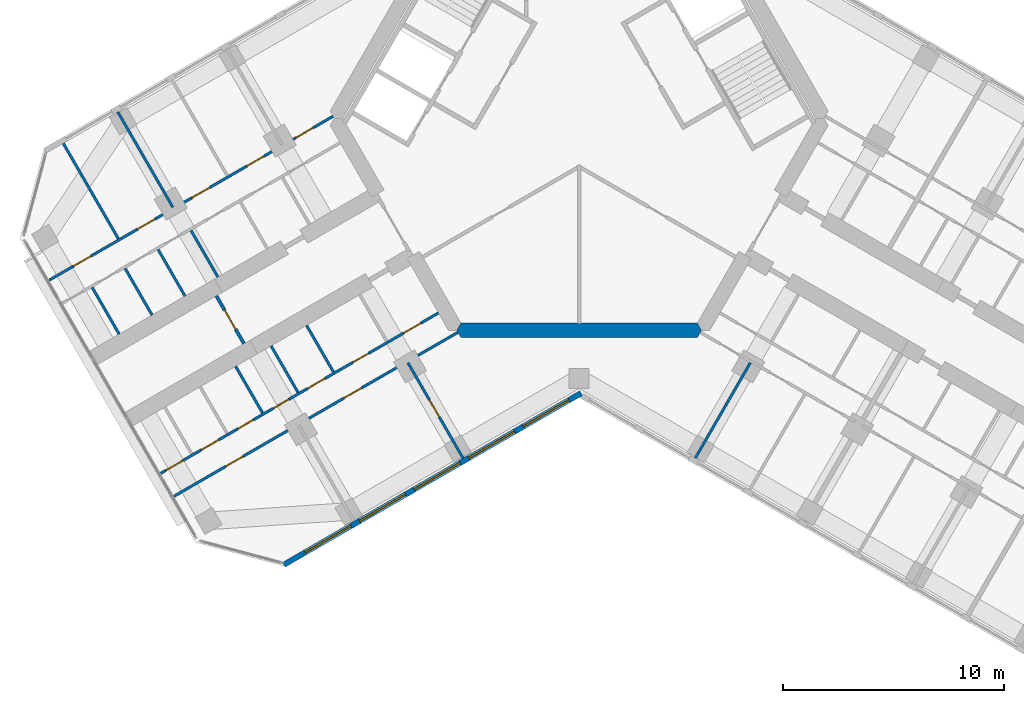
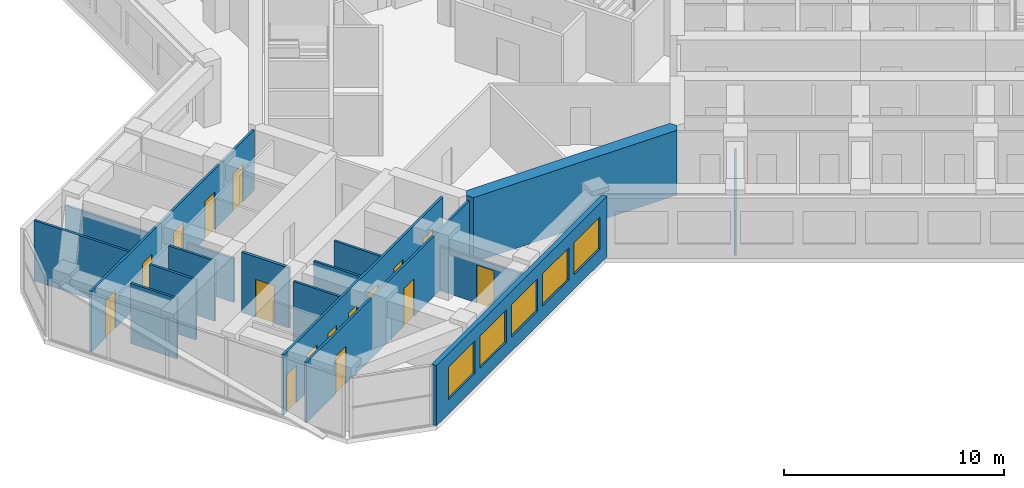
# One storey, part 8 of 16: 17 walls, 16 doors, 5 windows, 21 openings.
"""IFC4 building model written with IfcOpenShell, lengths in metres."""

from ifc_helpers import new_model, si_unit, direction, frame, frame_2d, origin, place, context, subcontext, project, spatial, polyline, rectangle, outline, extrude, material, layer, layer_set, type_object, element, fill, save


model = new_model("IFC4")

# Units and contexts
model_context = context("Model", 3, precision=1e-05, world=origin(), true_north=direction((0.0, 1.0)))
body_context = subcontext(model_context, "Body", "Model", "MODEL_VIEW")
ifc_project = project(units=[si_unit("LENGTHUNIT", "METRE"), si_unit("AREAUNIT", "SQUARE_METRE"), si_unit("VOLUMEUNIT", "CUBIC_METRE"), si_unit("PLANEANGLEUNIT", "RADIAN"), si_unit("MASSUNIT", "GRAM", prefix="KILO")], contexts=[model_context])

# Site, building, storey
site_placement = place(None, origin())
site = spatial("IfcSite", under=ifc_project, at=site_placement, CompositionType="ELEMENT")
building_placement = place(site_placement, origin())
building = spatial("IfcBuilding", under=site, at=building_placement, Name="Kosmar Iwan School Tower", CompositionType="ELEMENT")
storey_placement = place(building_placement, frame((0.0, 0.0, 204.60009765625)))
storey = spatial("IfcBuildingStorey", under=building, at=storey_placement, Name="L51", CompositionType="ELEMENT", Elevation=204.60009765625)

# Wall
ifc_material_1 = material(Name="Concrete C50/60", Category="concrete")
ifc_layer_1 = layer(ifc_material_1, 0.64990234375)
ifc_layer_set_1 = layer_set([ifc_layer_1], Name="Core wall 650")
wall_type_1 = type_object("IfcWallType", Name="Core wall 650", PredefinedType="SHEAR", material=ifc_layer_set_1)
wall_1_placement = place(storey_placement, origin())
element("IfcWall", 1, at=wall_1_placement, inside=storey, type_object=wall_type_1, Name="Core wall F270", PredefinedType="SHEAR", context=body_context, shape_type="SweptSolid", body=[
    extrude(outline(polyline([(-5.35498046875, -9.925048828125), (5.35498046875, -9.925048828125), (5.54248046875, -9.60009765625), (5.35498046875, -9.27490234375), (-5.35498046875, -9.27490234375), (-5.54248046875, -9.60009765625), (-5.35498046875, -9.925048828125)])), origin(), (0.0, 0.0, 1.0), 3.599853515625),
])

# Wall, opening, door
ifc_material_2 = material(Name="Gypsum board on steel studs, fire-rated", Category="steel")
ifc_layer_2 = layer(ifc_material_2, 0.14990234375)
ifc_layer_set_2 = layer_set([ifc_layer_2], Name="Corridor end wall 150")
wall_type_2 = type_object("IfcWallType", Name="Corridor end wall 150", PredefinedType="PARTITIONING", material=ifc_layer_set_2)
wall_2_placement = place(storey_placement, frame((-16.429931640625, -8.04248046875, 0.0), z_axis=(0.0, 0.0, 1.0), x_axis=(0.500004234368, -0.866022959057, 0.0)))
wall_2 = element("IfcWall", 2, at=wall_2_placement, inside=storey, type_object=wall_type_2, Name="Partition L51-B-CE", PredefinedType="PARTITIONING", context=body_context, shape_type="SweptSolid", body=[
    extrude(rectangle(XDim=2.5, YDim=0.14990234375, at=frame_2d((1.25, 0.0))), origin(), (0.0, 0.0, 1.0), 3.349853515625),
])
opening_1_placement = place(wall_2_placement, frame((0.75, 0.0, 0.0)))
opening_1 = element("IfcOpeningElement", 3, at=opening_1_placement, cuts=wall_2, Name="Opening D13", PredefinedType="OPENING", context=body_context, shape_type="SweptSolid", body=[
    extrude(rectangle(XDim=1.0, YDim=2.10009765625, at=frame_2d((0.5, 1.050048828125))), frame((0.0, 0.0869140625, 0.0), z_axis=(0.0, -1.0, 0.0), x_axis=(1.0, 0.0, 0.0)), (0.0, 0.0, 1.0), 0.173828125),
])
ifc_material_3 = material(Name="Timber fire door with vision panel", Category="wood")
door_type_1 = type_object("IfcDoorType", Name="Corridor end door 1000x2100", OperationType="SINGLE_SWING_LEFT", PredefinedType="DOOR", material=ifc_material_3)
door_1_placement = place(opening_1_placement, origin())
door_1 = element("IfcDoor", 4, at=door_1_placement, inside=storey, type_object=door_type_1, Name="Hobby workshop door L51-B", OperationType="SINGLE_SWING_LEFT", OverallHeight=2.10009765625, OverallWidth=1.0, PredefinedType="DOOR", context=body_context, shape_type="SweptSolid", body=[
    extrude(rectangle(XDim=1.0, YDim=2.10009765625, at=frame_2d((0.5, 1.050048828125))), frame((0.0, 0.02490234375, 0.0), z_axis=(0.0, -1.0, 0.0), x_axis=(1.0, 0.0, 0.0)), (0.0, 0.0, 1.0), 0.050048828125),
])
fill(opening_1, door_1)

# Wall, openings, doors
ifc_material_4 = material(Name="Gypsum board on steel studs", Category="steel")
ifc_layer_3 = layer(ifc_material_4, 0.1201171875)
ifc_layer_set_3 = layer_set([ifc_layer_3], Name="Dwelling partition 120")
wall_type_3 = type_object("IfcWallType", Name="Dwelling partition 120", PredefinedType="PARTITIONING", material=ifc_layer_set_3)
wall_3_placement = place(storey_placement, frame((-6.370361328125, -8.81640625, 0.0), z_axis=(0.0, 0.0, 1.0), x_axis=(-0.866025425371, -0.499999962611, 0.0)))
wall_3 = element("IfcWall", 5, at=wall_3_placement, inside=storey, type_object=wall_type_3, Name="Partition L51-BL1-W1", PredefinedType="PARTITIONING", context=body_context, shape_type="SweptSolid", body=[
    extrude(rectangle(XDim=14.52001953125, YDim=0.1201171875, at=frame_2d((7.260009765625, 0.0))), origin(), (0.0, 0.0, 1.0), 3.349853515625),
])
opening_2_placement = place(wall_3_placement, frame((0.925048828125, 0.0, 0.0)))
opening_2 = element("IfcOpeningElement", 6, at=opening_2_placement, cuts=wall_3, Name="Opening D2", PredefinedType="OPENING", context=body_context, shape_type="SweptSolid", body=[
    extrude(rectangle(XDim=0.89990234375, YDim=2.10009765625, at=frame_2d((0.449951171875, 1.050048828125))), frame((0.0, 0.072021484375, 0.0), z_axis=(0.0, -1.0, 0.0), x_axis=(1.0, 0.0, 0.0)), (0.0, 0.0, 1.0), 0.14404296875),
])
opening_3_placement = place(wall_3_placement, frame((3.665283203125, 0.0, 0.0)))
opening_3 = element("IfcOpeningElement", 7, at=opening_3_placement, cuts=wall_3, Name="Opening D3", PredefinedType="OPENING", context=body_context, shape_type="SweptSolid", body=[
    extrude(rectangle(XDim=0.800048828125, YDim=2.10009765625, at=frame_2d((0.39990234375, 1.050048828125))), frame((0.0, 0.072021484375, 0.0), z_axis=(0.0, -1.0, 0.0), x_axis=(1.0, 0.0, 0.0)), (0.0, 0.0, 1.0), 0.14404296875),
])
opening_4_placement = place(wall_3_placement, frame((5.9326171875, 0.0, 0.0)))
opening_4 = element("IfcOpeningElement", 8, at=opening_4_placement, cuts=wall_3, Name="Opening D2", PredefinedType="OPENING", context=body_context, shape_type="SweptSolid", body=[
    extrude(rectangle(XDim=0.89990234375, YDim=2.10009765625, at=frame_2d((0.449951171875, 1.050048828125))), frame((0.0, 0.072021484375, 0.0), z_axis=(0.0, -1.0, 0.0), x_axis=(1.0, 0.0, 0.0)), (0.0, 0.0, 1.0), 0.14404296875),
])
opening_5_placement = place(wall_3_placement, frame((7.836669921875, 0.0, 0.0)))
opening_5 = element("IfcOpeningElement", 9, at=opening_5_placement, cuts=wall_3, Name="Opening D3", PredefinedType="OPENING", context=body_context, shape_type="SweptSolid", body=[
    extrude(rectangle(XDim=0.800048828125, YDim=2.10009765625, at=frame_2d((0.39990234375, 1.050048828125))), frame((0.0, 0.072021484375, 0.0), z_axis=(0.0, -1.0, 0.0), x_axis=(1.0, 0.0, 0.0)), (0.0, 0.0, 1.0), 0.14404296875),
])
opening_6_placement = place(wall_3_placement, frame((9.6904296875, 0.0, 0.0)))
opening_6 = element("IfcOpeningElement", 10, at=opening_6_placement, cuts=wall_3, Name="Opening D3", PredefinedType="OPENING", context=body_context, shape_type="SweptSolid", body=[
    extrude(rectangle(XDim=0.800048828125, YDim=2.10009765625, at=frame_2d((0.39990234375, 1.050048828125))), frame((0.0, 0.072021484375, 0.0), z_axis=(0.0, -1.0, 0.0), x_axis=(1.0, 0.0, 0.0)), (0.0, 0.0, 1.0), 0.14404296875),
])
opening_7_placement = place(wall_3_placement, frame((11.494140625, 0.0, 0.0)))
opening_7 = element("IfcOpeningElement", 11, at=opening_7_placement, cuts=wall_3, Name="Opening D2", PredefinedType="OPENING", context=body_context, shape_type="SweptSolid", body=[
    extrude(rectangle(XDim=0.89990234375, YDim=2.10009765625, at=frame_2d((0.449951171875, 1.050048828125))), frame((0.0, 0.072021484375, 0.0), z_axis=(0.0, -1.0, 0.0), x_axis=(1.0, 0.0, 0.0)), (0.0, 0.0, 1.0), 0.14404296875),
])
opening_8_placement = place(wall_3_placement, frame((13.34814453125, 0.0, 0.0)))
opening_8 = element("IfcOpeningElement", 12, at=opening_8_placement, cuts=wall_3, Name="Opening D2", PredefinedType="OPENING", context=body_context, shape_type="SweptSolid", body=[
    extrude(rectangle(XDim=0.89990234375, YDim=2.10009765625, at=frame_2d((0.449951171875, 1.050048828125))), frame((0.0, 0.072021484375, 0.0), z_axis=(0.0, -1.0, 0.0), x_axis=(1.0, 0.0, 0.0)), (0.0, 0.0, 1.0), 0.14404296875),
])
ifc_material_5 = material(Name="Timber door in timber frame", Category="wood")
door_type_2 = type_object("IfcDoorType", Name="Internal door 900x2100", OperationType="SINGLE_SWING_LEFT", PredefinedType="DOOR", material=ifc_material_5)
door_2_placement = place(opening_2_placement, origin())
door_2 = element("IfcDoor", 13, at=door_2_placement, inside=storey, type_object=door_type_2, Name="Entrance hall door L51-BL1-S1", OperationType="SINGLE_SWING_LEFT", OverallHeight=2.10009765625, OverallWidth=0.89990234375, PredefinedType="DOOR", context=body_context, shape_type="SweptSolid", body=[
    extrude(rectangle(XDim=0.89990234375, YDim=2.10009765625, at=frame_2d((0.449951171875, 1.050048828125))), frame((0.0, 0.02490234375, 0.0), z_axis=(0.0, -1.0, 0.0), x_axis=(1.0, 0.0, 0.0)), (0.0, 0.0, 1.0), 0.050048828125),
])
fill(opening_2, door_2)
door_3_placement = place(opening_4_placement, origin())
door_3 = element("IfcDoor", 14, at=door_3_placement, inside=storey, type_object=door_type_2, Name="Pantry door L51-BL1-S3", OperationType="SINGLE_SWING_LEFT", OverallHeight=2.10009765625, OverallWidth=0.89990234375, PredefinedType="DOOR", context=body_context, shape_type="SweptSolid", body=[
    extrude(rectangle(XDim=0.89990234375, YDim=2.10009765625, at=frame_2d((0.449951171875, 1.050048828125))), frame((0.0, 0.02490234375, 0.0), z_axis=(0.0, -1.0, 0.0), x_axis=(1.0, 0.0, 0.0)), (0.0, 0.0, 1.0), 0.050048828125),
])
fill(opening_4, door_3)
door_4_placement = place(opening_7_placement, origin())
door_4 = element("IfcDoor", 15, at=door_4_placement, inside=storey, type_object=door_type_2, Name="Utility room door L51-BL1-S6", OperationType="SINGLE_SWING_RIGHT", OverallHeight=2.10009765625, OverallWidth=0.89990234375, PredefinedType="DOOR", context=body_context, shape_type="SweptSolid", body=[
    extrude(rectangle(XDim=0.89990234375, YDim=2.10009765625, at=frame_2d((0.449951171875, 1.050048828125))), frame((0.0, 0.02490234375, 0.0), z_axis=(0.0, -1.0, 0.0), x_axis=(1.0, 0.0, 0.0)), (0.0, 0.0, 1.0), 0.050048828125),
])
fill(opening_7, door_4)
door_5_placement = place(opening_8_placement, origin())
door_5 = element("IfcDoor", 16, at=door_5_placement, inside=storey, type_object=door_type_2, Name="Dressing room door L51-BL1-S7", OperationType="SINGLE_SWING_RIGHT", OverallHeight=2.10009765625, OverallWidth=0.89990234375, PredefinedType="DOOR", context=body_context, shape_type="SweptSolid", body=[
    extrude(rectangle(XDim=0.89990234375, YDim=2.10009765625, at=frame_2d((0.449951171875, 1.050048828125))), frame((0.0, 0.02490234375, 0.0), z_axis=(0.0, -1.0, 0.0), x_axis=(1.0, 0.0, 0.0)), (0.0, 0.0, 1.0), 0.050048828125),
])
fill(opening_8, door_5)
ifc_material_6 = material(Name="Timber door in timber frame", Category="wood")
door_type_3 = type_object("IfcDoorType", Name="Sanitary room door 800x2100", OperationType="SINGLE_SWING_LEFT", PredefinedType="DOOR", material=ifc_material_6)
door_6_placement = place(opening_3_placement, origin())
door_6 = element("IfcDoor", 17, at=door_6_placement, inside=storey, type_object=door_type_3, Name="Bathroom door L51-BL1-S2", OperationType="SINGLE_SWING_LEFT", OverallHeight=2.10009765625, OverallWidth=0.800048828125, PredefinedType="DOOR", context=body_context, shape_type="SweptSolid", body=[
    extrude(rectangle(XDim=0.800048828125, YDim=2.10009765625, at=frame_2d((0.39990234375, 1.050048828125))), frame((0.0, 0.02490234375, 0.0), z_axis=(0.0, -1.0, 0.0), x_axis=(1.0, 0.0, 0.0)), (0.0, 0.0, 1.0), 0.050048828125),
])
fill(opening_3, door_6)
door_7_placement = place(opening_5_placement, origin())
door_7 = element("IfcDoor", 18, at=door_7_placement, inside=storey, type_object=door_type_3, Name="WC door L51-BL1-S4", OperationType="SINGLE_SWING_RIGHT", OverallHeight=2.10009765625, OverallWidth=0.800048828125, PredefinedType="DOOR", context=body_context, shape_type="SweptSolid", body=[
    extrude(rectangle(XDim=0.800048828125, YDim=2.10009765625, at=frame_2d((0.39990234375, 1.050048828125))), frame((0.0, 0.02490234375, 0.0), z_axis=(0.0, -1.0, 0.0), x_axis=(1.0, 0.0, 0.0)), (0.0, 0.0, 1.0), 0.050048828125),
])
fill(opening_5, door_7)
door_8_placement = place(opening_6_placement, origin())
door_8 = element("IfcDoor", 19, at=door_8_placement, inside=storey, type_object=door_type_3, Name="Store door L51-BL1-S5", OperationType="SINGLE_SWING_RIGHT", OverallHeight=2.10009765625, OverallWidth=0.800048828125, PredefinedType="DOOR", context=body_context, shape_type="SweptSolid", body=[
    extrude(rectangle(XDim=0.800048828125, YDim=2.10009765625, at=frame_2d((0.39990234375, 1.050048828125))), frame((0.0, 0.02490234375, 0.0), z_axis=(0.0, -1.0, 0.0), x_axis=(1.0, 0.0, 0.0)), (0.0, 0.0, 1.0), 0.050048828125),
])
fill(opening_6, door_8)

wall_4_placement = place(storey_placement, frame((-5.48876953125, -9.693115234375, 0.0), z_axis=(0.0, 0.0, 1.0), x_axis=(-0.866030301974, -0.499991515992, 0.0)))
wall_4 = element("IfcWall", 20, at=wall_4_placement, inside=storey, type_object=wall_type_3, Name="Partition L51-BL1-W2", PredefinedType="PARTITIONING", context=body_context, shape_type="SweptSolid", body=[
    extrude(rectangle(XDim=14.844970703125, YDim=0.1201171875, at=frame_2d((7.42236328125, 0.0))), origin(), (0.0, 0.0, 1.0), 3.349853515625),
])
opening_9_placement = place(wall_4_placement, frame((5.050048828125, 0.0, 0.0)))
opening_9 = element("IfcOpeningElement", 21, at=opening_9_placement, cuts=wall_4, Name="Opening D2", PredefinedType="OPENING", context=body_context, shape_type="SweptSolid", body=[
    extrude(rectangle(XDim=0.89990234375, YDim=2.10009765625, at=frame_2d((0.449951171875, 1.050048828125))), frame((0.0, 0.072021484375, 0.0), z_axis=(0.0, -1.0, 0.0), x_axis=(1.0, 0.0, 0.0)), (0.0, 0.0, 1.0), 0.14404296875),
])
opening_10_placement = place(wall_4_placement, frame((11.25, 0.0, 0.0)))
opening_10 = element("IfcOpeningElement", 22, at=opening_10_placement, cuts=wall_4, Name="Opening D2", PredefinedType="OPENING", context=body_context, shape_type="SweptSolid", body=[
    extrude(rectangle(XDim=0.89990234375, YDim=2.10009765625, at=frame_2d((0.449951171875, 1.050048828125))), frame((0.0, 0.072021484375, 0.0), z_axis=(0.0, -1.0, 0.0), x_axis=(1.0, 0.0, 0.0)), (0.0, 0.0, 1.0), 0.14404296875),
])
door_9_placement = place(opening_9_placement, origin())
door_9 = element("IfcDoor", 23, at=door_9_placement, inside=storey, type_object=door_type_2, Name="Family room door L51-BL1-F2", OperationType="SINGLE_SWING_LEFT", OverallHeight=2.10009765625, OverallWidth=0.89990234375, PredefinedType="DOOR", context=body_context, shape_type="SweptSolid", body=[
    extrude(rectangle(XDim=0.89990234375, YDim=2.10009765625, at=frame_2d((0.449951171875, 1.050048828125))), frame((0.0, 0.02490234375, 0.0), z_axis=(0.0, -1.0, 0.0), x_axis=(1.0, 0.0, 0.0)), (0.0, 0.0, 1.0), 0.050048828125),
])
fill(opening_9, door_9)
door_10_placement = place(opening_10_placement, origin())
door_10 = element("IfcDoor", 24, at=door_10_placement, inside=storey, type_object=door_type_2, Name="Bedroom 1 door L51-BL1-F3", OperationType="SINGLE_SWING_RIGHT", OverallHeight=2.10009765625, OverallWidth=0.89990234375, PredefinedType="DOOR", context=body_context, shape_type="SweptSolid", body=[
    extrude(rectangle(XDim=0.89990234375, YDim=2.10009765625, at=frame_2d((0.449951171875, 1.050048828125))), frame((0.0, 0.02490234375, 0.0), z_axis=(0.0, -1.0, 0.0), x_axis=(1.0, 0.0, 0.0)), (0.0, 0.0, 1.0), 0.050048828125),
])
fill(opening_10, door_10)

# Wall, opening, door
wall_5_placement = place(storey_placement, frame((-7.75390625, -11.070068359375, 0.0), z_axis=(0.0, 0.0, 1.0), x_axis=(0.500011847778, -0.866018563358, 0.0)))
wall_5 = element("IfcWall", 25, at=wall_5_placement, inside=storey, type_object=wall_type_3, Name="Partition L51-BL1-X1", PredefinedType="PARTITIONING", context=body_context, shape_type="SweptSolid", body=[
    extrude(rectangle(XDim=4.990234375, YDim=0.1201171875, at=frame_2d((2.4951171875, 0.0))), origin(), (0.0, 0.0, 1.0), 2.449951171875),
])
opening_11_placement = place(wall_5_placement, frame((1.93994140625, 0.0, 0.0)))
opening_11 = element("IfcOpeningElement", 26, at=opening_11_placement, cuts=wall_5, Name="Opening D2", PredefinedType="OPENING", context=body_context, shape_type="SweptSolid", body=[
    extrude(rectangle(XDim=0.89990234375, YDim=2.10009765625, at=frame_2d((0.449951171875, 1.050048828125))), frame((0.0, 0.072021484375, 0.0), z_axis=(0.0, -1.0, 0.0), x_axis=(1.0, 0.0, 0.0)), (0.0, 0.0, 1.0), 0.14404296875),
])
door_11_placement = place(opening_11_placement, origin())
door_11 = element("IfcDoor", 27, at=door_11_placement, inside=storey, type_object=door_type_2, Name="Kitchen and dining room door L51-BL1-F1", OperationType="SINGLE_SWING_LEFT", OverallHeight=2.10009765625, OverallWidth=0.89990234375, PredefinedType="DOOR", context=body_context, shape_type="SweptSolid", body=[
    extrude(rectangle(XDim=0.89990234375, YDim=2.10009765625, at=frame_2d((0.449951171875, 1.050048828125))), frame((0.0, 0.02490234375, 0.0), z_axis=(0.0, -1.0, 0.0), x_axis=(1.0, 0.0, 0.0)), (0.0, 0.0, 1.0), 0.050048828125),
])
fill(opening_11, door_11)

# Walls
for number, where, z_axis, x_axis, name in (
    (28, (-12.34521484375, -9.379150390625, 0.0), (0.0, 0.0, 1.0), (0.500002508028, -0.866023955769, 0.0), "Partition L51-BL1-Y2"),
    (29, (-13.95068359375, -10.30615234375, 0.0), (0.0, 0.0, 1.0), (0.500002508028, -0.866023955769, 0.0), "Partition L51-BL1-Y3"),
):
    element("IfcWall", number, at=place(storey_placement, frame(where, z_axis=z_axis, x_axis=x_axis)), inside=storey, type_object=wall_type_3, Name=name, PredefinedType="PARTITIONING", context=body_context, shape_type="SweptSolid", body=[
        extrude(rectangle(XDim=2.43994140625, YDim=0.1201171875, at=frame_2d((1.219970703125, 0.0))), origin(), (0.0, 0.0, 1.0), 3.349853515625),
    ])
wall_6_placement = place(storey_placement, frame((-15.55615234375, -11.23291015625, 0.0), z_axis=(0.0, 0.0, 1.0), x_axis=(0.499959183527, -0.866048967903, 0.0)))
element("IfcWall", 30, at=wall_6_placement, inside=storey, type_object=wall_type_3, Name="Partition L51-BL1-Y4", PredefinedType="PARTITIONING", context=body_context, shape_type="SweptSolid", body=[
    extrude(rectangle(XDim=2.440185546875, YDim=0.1201171875, at=frame_2d((1.22021484375, 0.0))), origin(), (0.0, 0.0, 1.0), 3.349853515625),
])

# Wall, openings, doors
wall_7_placement = place(storey_placement, frame((-11.138916015625, 0.093017578125, 0.0), z_axis=(0.0, 0.0, 1.0), x_axis=(-0.866030301974, -0.499991515992, 0.0)))
wall_7 = element("IfcWall", 31, at=wall_7_placement, inside=storey, type_object=wall_type_3, Name="Partition L51-BR1-W2", PredefinedType="PARTITIONING", context=body_context, shape_type="SweptSolid", body=[
    extrude(rectangle(XDim=14.844970703125, YDim=0.1201171875, at=frame_2d((7.42236328125, 0.0))), origin(), (0.0, 0.0, 1.0), 3.349853515625),
])
opening_12_placement = place(wall_7_placement, frame((1.050048828125, 0.0, 0.0)))
opening_12 = element("IfcOpeningElement", 32, at=opening_12_placement, cuts=wall_7, Name="Opening D2", PredefinedType="OPENING", context=body_context, shape_type="SweptSolid", body=[
    extrude(rectangle(XDim=0.89990234375, YDim=2.10009765625, at=frame_2d((0.449951171875, 1.050048828125))), frame((0.0, 0.072021484375, 0.0), z_axis=(0.0, -1.0, 0.0), x_axis=(1.0, 0.0, 0.0)), (0.0, 0.0, 1.0), 0.14404296875),
])
opening_13_placement = place(wall_7_placement, frame((3.625, 0.0, 0.0)))
opening_13 = element("IfcOpeningElement", 33, at=opening_13_placement, cuts=wall_7, Name="Opening D2", PredefinedType="OPENING", context=body_context, shape_type="SweptSolid", body=[
    extrude(rectangle(XDim=0.89990234375, YDim=2.10009765625, at=frame_2d((0.449951171875, 1.050048828125))), frame((0.0, 0.072021484375, 0.0), z_axis=(0.0, -1.0, 0.0), x_axis=(1.0, 0.0, 0.0)), (0.0, 0.0, 1.0), 0.14404296875),
])
opening_14_placement = place(wall_7_placement, frame((6.47509765625, 0.0, 0.0)))
opening_14 = element("IfcOpeningElement", 34, at=opening_14_placement, cuts=wall_7, Name="Opening D2", PredefinedType="OPENING", context=body_context, shape_type="SweptSolid", body=[
    extrude(rectangle(XDim=0.89990234375, YDim=2.10009765625, at=frame_2d((0.449951171875, 1.050048828125))), frame((0.0, 0.072021484375, 0.0), z_axis=(0.0, -1.0, 0.0), x_axis=(1.0, 0.0, 0.0)), (0.0, 0.0, 1.0), 0.14404296875),
])
opening_15_placement = place(wall_7_placement, frame((9.324951171875, 0.0, 0.0)))
opening_15 = element("IfcOpeningElement", 35, at=opening_15_placement, cuts=wall_7, Name="Opening D2", PredefinedType="OPENING", context=body_context, shape_type="SweptSolid", body=[
    extrude(rectangle(XDim=0.89990234375, YDim=2.10009765625, at=frame_2d((0.449951171875, 1.050048828125))), frame((0.0, 0.072021484375, 0.0), z_axis=(0.0, -1.0, 0.0), x_axis=(1.0, 0.0, 0.0)), (0.0, 0.0, 1.0), 0.14404296875),
])
opening_16_placement = place(wall_7_placement, frame((12.675048828125, 0.0, 0.0)))
opening_16 = element("IfcOpeningElement", 36, at=opening_16_placement, cuts=wall_7, Name="Opening D2", PredefinedType="OPENING", context=body_context, shape_type="SweptSolid", body=[
    extrude(rectangle(XDim=0.89990234375, YDim=2.10009765625, at=frame_2d((0.449951171875, 1.050048828125))), frame((0.0, 0.072021484375, 0.0), z_axis=(0.0, -1.0, 0.0), x_axis=(1.0, 0.0, 0.0)), (0.0, 0.0, 1.0), 0.14404296875),
])
door_12_placement = place(opening_12_placement, origin())
door_12 = element("IfcDoor", 37, at=door_12_placement, inside=storey, type_object=door_type_2, Name="Living room and kitchen door L51-BR1-F1", OperationType="SINGLE_SWING_LEFT", OverallHeight=2.10009765625, OverallWidth=0.89990234375, PredefinedType="DOOR", context=body_context, shape_type="SweptSolid", body=[
    extrude(rectangle(XDim=0.89990234375, YDim=2.10009765625, at=frame_2d((0.449951171875, 1.050048828125))), frame((0.0, 0.02490234375, 0.0), z_axis=(0.0, -1.0, 0.0), x_axis=(1.0, 0.0, 0.0)), (0.0, 0.0, 1.0), 0.050048828125),
])
fill(opening_12, door_12)
door_13_placement = place(opening_13_placement, origin())
door_13 = element("IfcDoor", 38, at=door_13_placement, inside=storey, type_object=door_type_2, Name="Study door L51-BR1-F2", OperationType="SINGLE_SWING_LEFT", OverallHeight=2.10009765625, OverallWidth=0.89990234375, PredefinedType="DOOR", context=body_context, shape_type="SweptSolid", body=[
    extrude(rectangle(XDim=0.89990234375, YDim=2.10009765625, at=frame_2d((0.449951171875, 1.050048828125))), frame((0.0, 0.02490234375, 0.0), z_axis=(0.0, -1.0, 0.0), x_axis=(1.0, 0.0, 0.0)), (0.0, 0.0, 1.0), 0.050048828125),
])
fill(opening_13, door_13)
door_14_placement = place(opening_14_placement, origin())
door_14 = element("IfcDoor", 39, at=door_14_placement, inside=storey, type_object=door_type_2, Name="Bedroom 1 door L51-BR1-F3", OperationType="SINGLE_SWING_LEFT", OverallHeight=2.10009765625, OverallWidth=0.89990234375, PredefinedType="DOOR", context=body_context, shape_type="SweptSolid", body=[
    extrude(rectangle(XDim=0.89990234375, YDim=2.10009765625, at=frame_2d((0.449951171875, 1.050048828125))), frame((0.0, 0.02490234375, 0.0), z_axis=(0.0, -1.0, 0.0), x_axis=(1.0, 0.0, 0.0)), (0.0, 0.0, 1.0), 0.050048828125),
])
fill(opening_14, door_14)
door_15_placement = place(opening_15_placement, origin())
door_15 = element("IfcDoor", 40, at=door_15_placement, inside=storey, type_object=door_type_2, Name="Grandparents' suite door L51-BR1-F4", OperationType="SINGLE_SWING_RIGHT", OverallHeight=2.10009765625, OverallWidth=0.89990234375, PredefinedType="DOOR", context=body_context, shape_type="SweptSolid", body=[
    extrude(rectangle(XDim=0.89990234375, YDim=2.10009765625, at=frame_2d((0.449951171875, 1.050048828125))), frame((0.0, 0.02490234375, 0.0), z_axis=(0.0, -1.0, 0.0), x_axis=(1.0, 0.0, 0.0)), (0.0, 0.0, 1.0), 0.050048828125),
])
fill(opening_15, door_15)
door_16_placement = place(opening_16_placement, origin())
door_16 = element("IfcDoor", 41, at=door_16_placement, inside=storey, type_object=door_type_2, Name="Bedroom 2 door L51-BR1-F5", OperationType="SINGLE_SWING_RIGHT", OverallHeight=2.10009765625, OverallWidth=0.89990234375, PredefinedType="DOOR", context=body_context, shape_type="SweptSolid", body=[
    extrude(rectangle(XDim=0.89990234375, YDim=2.10009765625, at=frame_2d((0.449951171875, 1.050048828125))), frame((0.0, 0.02490234375, 0.0), z_axis=(0.0, -1.0, 0.0), x_axis=(1.0, 0.0, 0.0)), (0.0, 0.0, 1.0), 0.050048828125),
])
fill(opening_16, door_16)

# Walls
wall_8_placement = place(storey_placement, frame((-18.400146484375, -4.030029296875, 0.0), z_axis=(0.0, 0.0, 1.0), x_axis=(-0.500011847778, 0.866018563358, 0.0)))
element("IfcWall", 42, at=wall_8_placement, inside=storey, type_object=wall_type_3, Name="Partition L51-BR1-X3", PredefinedType="PARTITIONING", context=body_context, shape_type="SweptSolid", body=[
    extrude(rectangle(XDim=4.990234375, YDim=0.1201171875, at=frame_2d((2.4951171875, 0.0))), origin(), (0.0, 0.0, 1.0), 2.449951171875),
])
wall_9_placement = place(storey_placement, frame((-20.868408203125, -5.455078125, 0.0), z_axis=(0.0, 0.0, 1.0), x_axis=(-0.499975153383, 0.86603974851, 0.0)))
element("IfcWall", 43, at=wall_9_placement, inside=storey, type_object=wall_type_3, Name="Partition L51-BR1-X4", PredefinedType="PARTITIONING", context=body_context, shape_type="SweptSolid", body=[
    extrude(rectangle(XDim=4.989990234375, YDim=0.1201171875, at=frame_2d((2.4951171875, 0.0))), origin(), (0.0, 0.0, 1.0), 3.349853515625),
])
wall_10_placement = place(storey_placement, frame((-16.35791015625, -7.192626953125, 0.0), z_axis=(0.0, 0.0, 1.0), x_axis=(-0.500002508028, 0.866023955769, 0.0)))
element("IfcWall", 44, at=wall_10_placement, inside=storey, type_object=wall_type_3, Name="Partition L51-BR1-Y3", PredefinedType="PARTITIONING", context=body_context, shape_type="SweptSolid", body=[
    extrude(rectangle(XDim=2.43994140625, YDim=0.1201171875, at=frame_2d((1.219970703125, 0.0))), origin(), (0.0, 0.0, 1.0), 2.449951171875),
])
wall_11_placement = place(storey_placement, frame((-17.84912109375, -8.053466796875, 0.0), z_axis=(0.0, 0.0, 1.0), x_axis=(-0.500002508028, 0.866023955769, 0.0)))
element("IfcWall", 45, at=wall_11_placement, inside=storey, type_object=wall_type_3, Name="Partition L51-BR1-Y4", PredefinedType="PARTITIONING", context=body_context, shape_type="SweptSolid", body=[
    extrude(rectangle(XDim=2.43994140625, YDim=0.1201171875, at=frame_2d((1.219970703125, 0.0))), origin(), (0.0, 0.0, 1.0), 3.349853515625),
])
for number, where, z_axis, x_axis, name in (
    (46, (-19.34033203125, -8.91455078125, 0.0), (0.0, 0.0, 1.0), (-0.499959183527, 0.866048967903, 0.0), "Partition L51-BR1-Y5"),
    (47, (-20.831298828125, -9.775390625, 0.0), (0.0, 0.0, 1.0), (-0.500034220881, 0.866005645448, 0.0), "Partition L51-BR1-Y6"),
):
    element("IfcWall", number, at=place(storey_placement, frame(where, z_axis=z_axis, x_axis=x_axis)), inside=storey, type_object=wall_type_3, Name=name, PredefinedType="PARTITIONING", context=body_context, shape_type="SweptSolid", body=[
        extrude(rectangle(XDim=2.440185546875, YDim=0.1201171875, at=frame_2d((1.22021484375, 0.0))), origin(), (0.0, 0.0, 1.0), 3.349853515625),
    ])
wall_12_placement = place(storey_placement, frame((7.75390625, -11.070068359375, 0.0), z_axis=(0.0, 0.0, 1.0), x_axis=(-0.500011847778, -0.866018563358, 0.0)))
element("IfcWall", 48, at=wall_12_placement, inside=storey, type_object=wall_type_3, Name="Partition L51-CR1-X1", PredefinedType="PARTITIONING", context=body_context, shape_type="SweptSolid", body=[
    extrude(rectangle(XDim=4.990234375, YDim=0.1201171875, at=frame_2d((2.4951171875, 0.0))), origin(), (0.0, 0.0, 1.0), 2.449951171875),
])

# Wall, openings, windows
ifc_material_7 = material(Name="Black aluminium rainscreen on insulated framing", Category="aluminium")
ifc_layer_4 = layer(ifc_material_7, 0.25)
ifc_layer_set_4 = layer_set([ifc_layer_4], Name="External wall rainscreen 250")
wall_type_4 = type_object("IfcWallType", Name="External wall rainscreen 250", PredefinedType="SOLIDWALL", material=ifc_layer_set_4)
wall_13_placement = place(storey_placement, frame((0.088134765625, -12.44873046875, 0.0), z_axis=(0.0, 0.0, 1.0), x_axis=(-0.866029894971, -0.499992220956, 0.0)))
wall_13 = element("IfcWall", 49, at=wall_13_placement, inside=storey, type_object=wall_type_4, Name="External wall BL L51", PredefinedType="SOLIDWALL", context=body_context, shape_type="SweptSolid", body=[
    extrude(rectangle(XDim=15.537353515625, YDim=0.25, at=frame_2d((7.7685546875, 0.0))), origin(), (0.0, 0.0, 1.0), 3.349853515625),
])
opening_17_placement = place(wall_13_placement, frame((0.626953125, 0.0, 0.800048828125)))
opening_17 = element("IfcOpeningElement", 50, at=opening_17_placement, cuts=wall_13, Name="Opening W5", PredefinedType="OPENING", context=body_context, shape_type="SweptSolid", body=[
    extrude(rectangle(XDim=2.39990234375, YDim=1.800048828125, at=frame_2d((1.199951171875, 0.89990234375))), frame((0.0, 0.136962890625, 0.0), z_axis=(0.0, -1.0, 0.0), x_axis=(1.0, 0.0, 0.0)), (0.0, 0.0, 1.0), 0.27392578125),
])
opening_18_placement = place(wall_13_placement, frame((3.47705078125, 0.0, 0.800048828125)))
opening_18 = element("IfcOpeningElement", 51, at=opening_18_placement, cuts=wall_13, Name="Opening W5", PredefinedType="OPENING", context=body_context, shape_type="SweptSolid", body=[
    extrude(rectangle(XDim=2.39990234375, YDim=1.800048828125, at=frame_2d((1.199951171875, 0.89990234375))), frame((0.0, 0.136962890625, 0.0), z_axis=(0.0, -1.0, 0.0), x_axis=(1.0, 0.0, 0.0)), (0.0, 0.0, 1.0), 0.27392578125),
])
opening_19_placement = place(wall_13_placement, frame((6.326904296875, 0.0, 0.800048828125)))
opening_19 = element("IfcOpeningElement", 52, at=opening_19_placement, cuts=wall_13, Name="Opening W5", PredefinedType="OPENING", context=body_context, shape_type="SweptSolid", body=[
    extrude(rectangle(XDim=2.39990234375, YDim=1.800048828125, at=frame_2d((1.199951171875, 0.89990234375))), frame((0.0, 0.136962890625, 0.0), z_axis=(0.0, -1.0, 0.0), x_axis=(1.0, 0.0, 0.0)), (0.0, 0.0, 1.0), 0.27392578125),
])
opening_20_placement = place(wall_13_placement, frame((9.177001953125, 0.0, 0.800048828125)))
opening_20 = element("IfcOpeningElement", 53, at=opening_20_placement, cuts=wall_13, Name="Opening W5", PredefinedType="OPENING", context=body_context, shape_type="SweptSolid", body=[
    extrude(rectangle(XDim=2.39990234375, YDim=1.800048828125, at=frame_2d((1.199951171875, 0.89990234375))), frame((0.0, 0.136962890625, 0.0), z_axis=(0.0, -1.0, 0.0), x_axis=(1.0, 0.0, 0.0)), (0.0, 0.0, 1.0), 0.27392578125),
])
opening_21_placement = place(wall_13_placement, frame((12.027099609375, 0.0, 0.800048828125)))
opening_21 = element("IfcOpeningElement", 54, at=opening_21_placement, cuts=wall_13, Name="Opening W5", PredefinedType="OPENING", context=body_context, shape_type="SweptSolid", body=[
    extrude(rectangle(XDim=2.39990234375, YDim=1.800048828125, at=frame_2d((1.199951171875, 0.89990234375))), frame((0.0, 0.136962890625, 0.0), z_axis=(0.0, -1.0, 0.0), x_axis=(1.0, 0.0, 0.0)), (0.0, 0.0, 1.0), 0.27392578125),
])
ifc_material_8 = material(Name="Black aluminium frame with dark triple glazing", Category="aluminium")
window_type = type_object("IfcWindowType", Name="Window 2400x1800", PartitioningType="SINGLE_PANEL", PredefinedType="WINDOW", material=ifc_material_8)
window_1_placement = place(opening_17_placement, origin())
window_1 = element("IfcWindow", 55, at=window_1_placement, inside=storey, type_object=window_type, Name="Window BL L51 -1", OverallHeight=1.800048828125, OverallWidth=2.39990234375, PartitioningType="SINGLE_PANEL", PredefinedType="WINDOW", context=body_context, shape_type="SweptSolid", body=[
    extrude(rectangle(XDim=2.39990234375, YDim=1.800048828125, at=frame_2d((1.199951171875, 0.89990234375))), frame((0.0, 0.030029296875, 0.0), z_axis=(0.0, -1.0, 0.0), x_axis=(1.0, 0.0, 0.0)), (0.0, 0.0, 1.0), 0.06005859375),
])
fill(opening_17, window_1)
window_2_placement = place(opening_18_placement, origin())
window_2 = element("IfcWindow", 56, at=window_2_placement, inside=storey, type_object=window_type, Name="Window BL L51 0", OverallHeight=1.800048828125, OverallWidth=2.39990234375, PartitioningType="SINGLE_PANEL", PredefinedType="WINDOW", context=body_context, shape_type="SweptSolid", body=[
    extrude(rectangle(XDim=2.39990234375, YDim=1.800048828125, at=frame_2d((1.199951171875, 0.89990234375))), frame((0.0, 0.030029296875, 0.0), z_axis=(0.0, -1.0, 0.0), x_axis=(1.0, 0.0, 0.0)), (0.0, 0.0, 1.0), 0.06005859375),
])
fill(opening_18, window_2)
window_3_placement = place(opening_19_placement, origin())
window_3 = element("IfcWindow", 57, at=window_3_placement, inside=storey, type_object=window_type, Name="Window BL L51 1", OverallHeight=1.800048828125, OverallWidth=2.39990234375, PartitioningType="SINGLE_PANEL", PredefinedType="WINDOW", context=body_context, shape_type="SweptSolid", body=[
    extrude(rectangle(XDim=2.39990234375, YDim=1.800048828125, at=frame_2d((1.199951171875, 0.89990234375))), frame((0.0, 0.030029296875, 0.0), z_axis=(0.0, -1.0, 0.0), x_axis=(1.0, 0.0, 0.0)), (0.0, 0.0, 1.0), 0.06005859375),
])
fill(opening_19, window_3)
window_4_placement = place(opening_20_placement, origin())
window_4 = element("IfcWindow", 58, at=window_4_placement, inside=storey, type_object=window_type, Name="Window BL L51 2", OverallHeight=1.800048828125, OverallWidth=2.39990234375, PartitioningType="SINGLE_PANEL", PredefinedType="WINDOW", context=body_context, shape_type="SweptSolid", body=[
    extrude(rectangle(XDim=2.39990234375, YDim=1.800048828125, at=frame_2d((1.199951171875, 0.89990234375))), frame((0.0, 0.030029296875, 0.0), z_axis=(0.0, -1.0, 0.0), x_axis=(1.0, 0.0, 0.0)), (0.0, 0.0, 1.0), 0.06005859375),
])
fill(opening_20, window_4)
window_5_placement = place(opening_21_placement, origin())
window_5 = element("IfcWindow", 59, at=window_5_placement, inside=storey, type_object=window_type, Name="Window BL L51 3", OverallHeight=1.800048828125, OverallWidth=2.39990234375, PartitioningType="SINGLE_PANEL", PredefinedType="WINDOW", context=body_context, shape_type="SweptSolid", body=[
    extrude(rectangle(XDim=2.39990234375, YDim=1.800048828125, at=frame_2d((1.199951171875, 0.89990234375))), frame((0.0, 0.030029296875, 0.0), z_axis=(0.0, -1.0, 0.0), x_axis=(1.0, 0.0, 0.0)), (0.0, 0.0, 1.0), 0.06005859375),
])
fill(opening_21, window_5)

save(model, "model.ifc")
